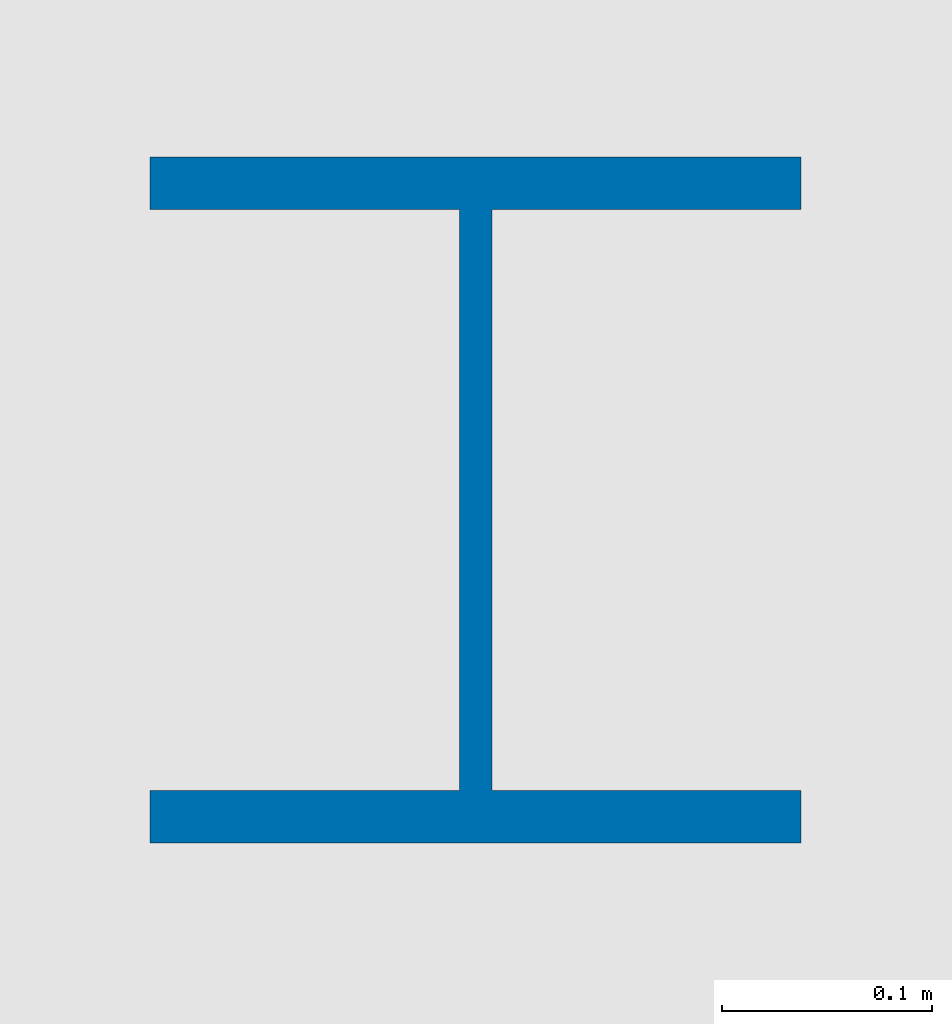
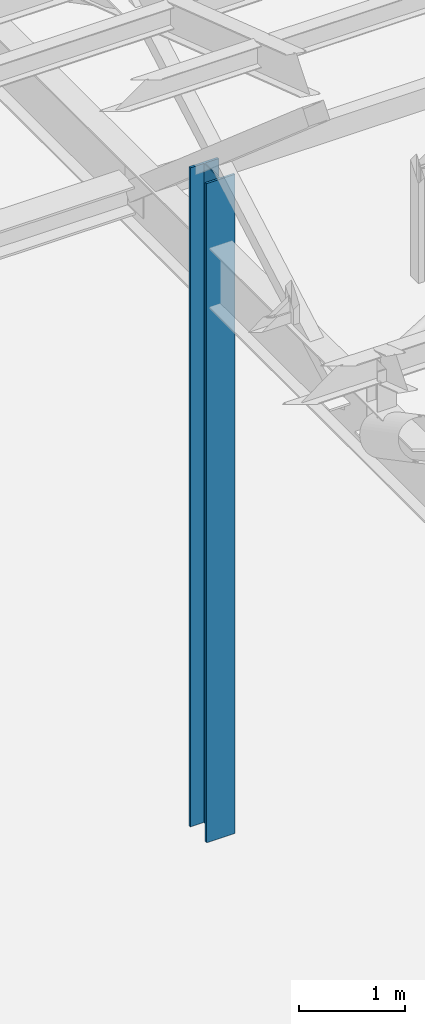
# One storey, part 24 of 285: 1 column.
"""IFC4 building model written with IfcOpenShell, lengths in metres."""

from ifc_helpers import new_model, si_unit, direction, frame, origin, origin_2d, place, context, subcontext, project, spatial, i_section, extrude, material, material_profile, profile_set, type_object, element, save


model = new_model("IFC4")

# Units and contexts
model_context = context("Model", 3, precision=1e-05, world=origin(), true_north=direction((0.0, 1.0)))
body_context = subcontext(model_context, "Body", "Model", "MODEL_VIEW")
ifc_project = project(units=[si_unit("LENGTHUNIT", "METRE"), si_unit("AREAUNIT", "SQUARE_METRE"), si_unit("VOLUMEUNIT", "CUBIC_METRE"), si_unit("PLANEANGLEUNIT", "RADIAN"), si_unit("MASSUNIT", "GRAM", prefix="KILO")], contexts=[model_context])

# Site, building, storey
site_placement = place(None, origin())
site = spatial("IfcSite", under=ifc_project, at=site_placement, CompositionType="ELEMENT")
building_placement = place(site_placement, origin())
building = spatial("IfcBuilding", under=site, at=building_placement, Name="Solanera Park Tramway Depot", CompositionType="ELEMENT")
storey_placement = place(building_placement, origin())
storey = spatial("IfcBuildingStorey", under=building, at=storey_placement, Name="L00", CompositionType="ELEMENT", Elevation=0.0)

# Column
ifc_material = material(Name="Steel AS/NZS 3679.1 Grade 350", Category="steel")
ifc_material_profile = material_profile(ifc_material, i_section(OverallWidth=0.310546875, OverallDepth=0.3271484375, WebThickness=0.015625, FlangeThickness=0.02490234375, at=origin_2d()), Name="310UC158")
ifc_profile_set = profile_set([ifc_material_profile], Name="Steel AS/NZS 3679.1 Grade 350")
column_type = type_object("IfcColumnType", Name="Steel Column Int 310UC158", PredefinedType="COLUMN", material=ifc_profile_set)
column_placement = place(storey_placement, frame((120.0, 85.0, 0.0), z_axis=(0.0, 0.0, 1.0), x_axis=(1.0, 0.0, 0.0)))
element("IfcColumn", 1, at=column_placement, inside=storey, type_object=column_type, Name="L00 Column V1-X1200-Y850", PredefinedType="COLUMN", context=body_context, shape_type="SweptSolid", body=[
    extrude(i_section(OverallWidth=0.310546875, OverallDepth=0.3271484375, WebThickness=0.015625, FlangeThickness=0.02490234375, at=origin_2d()), origin(), (0.0, 0.0, 1.0), 7.60009765625),
])

save(model, "model.ifc")
